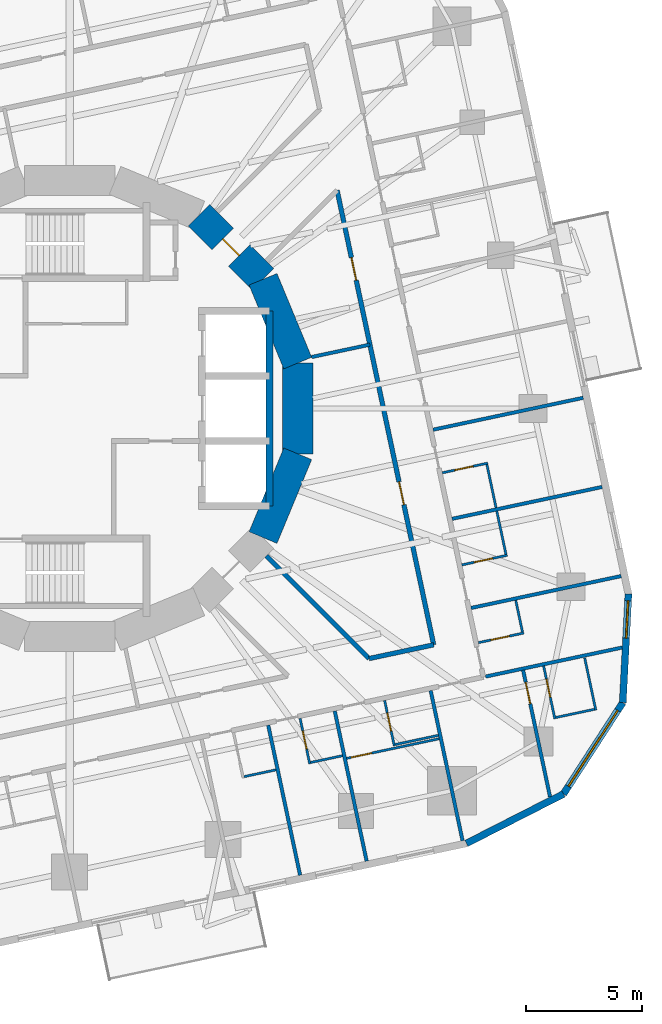
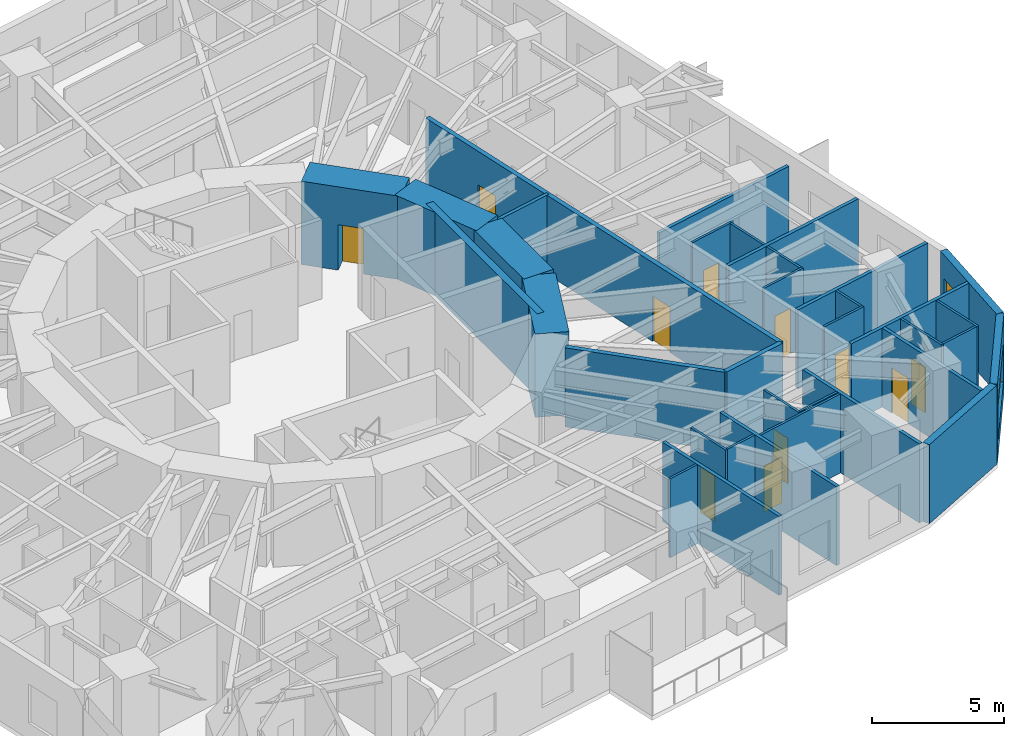
# One storey, part 8 of 14: 35 walls, 11 doors, 2 windows, 13 openings.
"""IFC4 building model written with IfcOpenShell, lengths in metres."""

from ifc_helpers import new_model, si_unit, direction, frame, frame_2d, origin, place, context, subcontext, project, spatial, rectangle, extrude, material, layer, layer_set, type_object, element, fill, save


model = new_model("IFC4")

# Units and contexts
model_context = context("Model", 3, precision=1e-05, world=origin(), true_north=direction((0.0, 1.0)))
body_context = subcontext(model_context, "Body", "Model", "MODEL_VIEW")
ifc_project = project(units=[si_unit("LENGTHUNIT", "METRE"), si_unit("AREAUNIT", "SQUARE_METRE"), si_unit("VOLUMEUNIT", "CUBIC_METRE"), si_unit("PLANEANGLEUNIT", "RADIAN"), si_unit("MASSUNIT", "GRAM", prefix="KILO")], contexts=[model_context])

# Site, building, storey
site_placement = place(None, origin())
site = spatial("IfcSite", under=ifc_project, at=site_placement, CompositionType="ELEMENT")
building_placement = place(site_placement, origin())
building = spatial("IfcBuilding", under=site, at=building_placement, Name="Nakasero Lantern House", CompositionType="ELEMENT")
storey_placement = place(building_placement, frame((0.0, 0.0, 116.550048828125)))
storey = spatial("IfcBuildingStorey", under=building, at=storey_placement, Name="L28", CompositionType="ELEMENT", Elevation=116.550048828125)

# Walls
ifc_material_1 = material(Name="Concrete C50/60", Category="concrete")
ifc_layer_1 = layer(ifc_material_1, 0.300048828125)
ifc_layer_set_1 = layer_set([ifc_layer_1], Name="Core inner wall 300")
wall_type_1 = type_object("IfcWallType", Name="Core inner wall 300", PredefinedType="SHEAR", material=ifc_layer_set_1)
wall_1_placement = place(storey_placement, frame((8.60009765625, -4.199951171875, 0.0), z_axis=(0.0, 0.0, 1.0), x_axis=(0.0, 1.0, 0.0)))
element("IfcWall", 1, at=wall_1_placement, inside=storey, type_object=wall_type_1, Name="Core inner wall L28 LEB", PredefinedType="SHEAR", context=body_context, shape_type="SweptSolid", body=[
    extrude(rectangle(XDim=8.39990234375, YDim=0.300048828125, at=frame_2d((4.199951171875, 0.0))), origin(), (0.0, 0.0, 1.0), 3.849853515625),
])
ifc_material_2 = material(Name="Concrete C50/60", Category="concrete")
ifc_layer_2 = layer(ifc_material_2, 1.300048828125)
ifc_layer_set_2 = layer_set([ifc_layer_2], Name="Core wall 1300")
wall_type_2 = type_object("IfcWallType", Name="Core wall 1300", PredefinedType="SHEAR", material=ifc_layer_set_2)
wall_2_placement = place(storey_placement, frame((9.807861328125, 1.950927734375, 0.0), z_axis=(0.0, 0.0, 1.0), x_axis=(-0.382690736062, 0.923876507187, 0.0)))
element("IfcWall", 2, at=wall_2_placement, inside=storey, type_object=wall_type_2, Name="Core wall L28 facet 1", PredefinedType="SHEAR", context=body_context, shape_type="SweptSolid", body=[
    extrude(rectangle(XDim=3.90185546875, YDim=1.300048828125, at=frame_2d((1.950927734375, 0.0))), origin(), (0.0, 0.0, 1.0), 3.849853515625),
])

# Wall, opening, door
wall_3_placement = place(storey_placement, frame((8.314697265625, 5.5556640625, 0.0), z_axis=(0.0, 0.0, 1.0), x_axis=(-0.707106781187, 0.707106781187, 0.0)))
wall_3 = element("IfcWall", 3, at=wall_3_placement, inside=storey, type_object=wall_type_2, Name="Core wall L28 facet 2", PredefinedType="SHEAR", context=body_context, shape_type="SweptSolid", body=[
    extrude(rectangle(XDim=3.90185546875, YDim=1.300048828125, at=frame_2d((1.950927734375, 0.0))), origin(), (0.0, 0.0, 1.0), 3.849853515625),
])
opening_1_placement = place(wall_3_placement, frame((1.450927734375, 0.0, 0.0)))
opening_1 = element("IfcOpeningElement", 4, at=opening_1_placement, cuts=wall_3, Name="Opening D05", PredefinedType="OPENING", context=body_context, shape_type="SweptSolid", body=[
    extrude(rectangle(XDim=1.0, YDim=2.10009765625, at=frame_2d((0.5, 1.050048828125))), frame((0.0, 0.669921875, 0.0), z_axis=(0.0, -1.0, 0.0), x_axis=(1.0, 0.0, 0.0)), (0.0, 0.0, 1.0), 1.340087890625),
])
ifc_material_3 = material(Name="Timber C24", Category="wood")
door_type_1 = type_object("IfcDoorType", Name="Core door FD60S 1000", OperationType="SINGLE_SWING_LEFT", PredefinedType="DOOR", material=ifc_material_3)
door_1_placement = place(opening_1_placement, origin())
door_1 = element("IfcDoor", 5, at=door_1_placement, inside=storey, type_object=door_type_1, Name="Door L28 D-CORE02", OperationType="SINGLE_SWING_LEFT", OverallHeight=2.10009765625, OverallWidth=1.0, PredefinedType="DOOR", context=body_context, shape_type="SweptSolid", body=[
    extrude(rectangle(XDim=1.0, YDim=2.10009765625, at=frame_2d((0.5, 1.050048828125))), frame((0.0, 0.02490234375, 0.0), z_axis=(0.0, -1.0, 0.0), x_axis=(1.0, 0.0, 0.0)), (0.0, 0.0, 1.0), 0.050048828125),
])
fill(opening_1, door_1)

# Walls
for number, where, z_axis, x_axis, name in (
    (6, (8.314697265625, -5.5556640625, 0.0), (0.0, 0.0, 1.0), (0.382690736062, 0.923876507187, 0.0), "Core wall L28 facet 15"),
    (7, (9.807861328125, -1.950927734375, 0.0), (0.0, 0.0, 1.0), (0.0, 1.0, 0.0), "Core wall L28 facet 16"),
):
    element("IfcWall", number, at=place(storey_placement, frame(where, z_axis=z_axis, x_axis=x_axis)), inside=storey, type_object=wall_type_2, Name=name, PredefinedType="SHEAR", context=body_context, shape_type="SweptSolid", body=[
        extrude(rectangle(XDim=3.90185546875, YDim=1.300048828125, at=frame_2d((1.950927734375, 0.0))), origin(), (0.0, 0.0, 1.0), 3.849853515625),
    ])

# Wall, openings, doors
ifc_material_4 = material(Name="Blockwork", Category="masonry")
ifc_layer_3 = layer(ifc_material_4, 0.199951171875)
ifc_layer_set_3 = layer_set([ifc_layer_3], Name="Corridor wall 200")
wall_type_3 = type_object("IfcWallType", Name="Corridor wall 200", PredefinedType="PARTITIONING", material=ifc_layer_set_3)
wall_4_placement = place(storey_placement, frame((15.656005859375, -10.1669921875, 0.0), z_axis=(0.0, 0.0, 1.0), x_axis=(-0.20791018816, 0.978147920132, 0.0)))
wall_4 = element("IfcWall", 8, at=wall_4_placement, inside=storey, type_object=wall_type_3, Name="Corridor wall L28 IW0-0", PredefinedType="PARTITIONING", context=body_context, shape_type="SweptSolid", body=[
    extrude(rectangle(XDim=19.983642578125, YDim=0.199951171875, at=frame_2d((9.99169921875, 0.0))), origin(), (0.0, 0.0, 1.0), 3.64990234375),
])
opening_2_placement = place(wall_4_placement, frame((6.162353515625, 0.0, 0.0)))
opening_2 = element("IfcOpeningElement", 9, at=opening_2_placement, cuts=wall_4, Name="Opening D07", PredefinedType="OPENING", context=body_context, shape_type="SweptSolid", body=[
    extrude(rectangle(XDim=1.0, YDim=2.10009765625, at=frame_2d((0.5, 1.050048828125))), frame((0.0, 0.119873046875, 0.0), z_axis=(0.0, -1.0, 0.0), x_axis=(1.0, 0.0, 0.0)), (0.0, 0.0, 1.0), 0.239990234375),
])
opening_3_placement = place(wall_4_placement, frame((16.029296875, 0.0, 0.0)))
opening_3 = element("IfcOpeningElement", 10, at=opening_3_placement, cuts=wall_4, Name="Opening D07", PredefinedType="OPENING", context=body_context, shape_type="SweptSolid", body=[
    extrude(rectangle(XDim=1.0, YDim=2.10009765625, at=frame_2d((0.5, 1.050048828125))), frame((0.0, 0.119873046875, 0.0), z_axis=(0.0, -1.0, 0.0), x_axis=(1.0, 0.0, 0.0)), (0.0, 0.0, 1.0), 0.239990234375),
])
ifc_material_5 = material(Name="Timber C24", Category="wood")
door_type_2 = type_object("IfcDoorType", Name="Room door FD30S 1000", OperationType="SINGLE_SWING_LEFT", PredefinedType="DOOR", material=ifc_material_5)
door_2_placement = place(opening_2_placement, origin())
door_2 = element("IfcDoor", 11, at=door_2_placement, inside=storey, type_object=door_type_2, Name="Door L28 DI3", OperationType="SINGLE_SWING_LEFT", OverallHeight=2.10009765625, OverallWidth=1.0, PredefinedType="DOOR", context=body_context, shape_type="SweptSolid", body=[
    extrude(rectangle(XDim=1.0, YDim=2.10009765625, at=frame_2d((0.5, 1.050048828125))), frame((0.0, 0.02490234375, 0.0), z_axis=(0.0, -1.0, 0.0), x_axis=(1.0, 0.0, 0.0)), (0.0, 0.0, 1.0), 0.050048828125),
])
fill(opening_2, door_2)
door_3_placement = place(opening_3_placement, origin())
door_3 = element("IfcDoor", 12, at=door_3_placement, inside=storey, type_object=door_type_2, Name="Door L28 DI4", OperationType="SINGLE_SWING_RIGHT", OverallHeight=2.10009765625, OverallWidth=1.0, PredefinedType="DOOR", context=body_context, shape_type="SweptSolid", body=[
    extrude(rectangle(XDim=1.0, YDim=2.10009765625, at=frame_2d((0.5, 1.050048828125))), frame((0.0, 0.02490234375, 0.0), z_axis=(0.0, -1.0, 0.0), x_axis=(1.0, 0.0, 0.0)), (0.0, 0.0, 1.0), 0.050048828125),
])
fill(opening_3, door_3)

# Walls
wall_5_placement = place(storey_placement, frame((12.878662109375, -10.75732421875, 0.0), z_axis=(0.0, 0.0, 1.0), x_axis=(0.97814836043, 0.207908116695, 0.0)))
element("IfcWall", 13, at=wall_5_placement, inside=storey, type_object=wall_type_3, Name="Corridor wall L28 IW3-1", PredefinedType="PARTITIONING", context=body_context, shape_type="SweptSolid", body=[
    extrude(rectangle(XDim=2.83935546875, YDim=0.199951171875, at=frame_2d((1.419677734375, 0.0))), origin(), (0.0, 0.0, 1.0), 3.64990234375),
])
wall_6_placement = place(storey_placement, frame((8.45556640625, -6.334228515625, 0.0), z_axis=(0.0, 0.0, 1.0), x_axis=(0.707106781187, -0.707106781187, 0.0)))
element("IfcWall", 14, at=wall_6_placement, inside=storey, type_object=wall_type_3, Name="Corridor wall L28 PS14a", PredefinedType="PARTITIONING", context=body_context, shape_type="SweptSolid", body=[
    extrude(rectangle(XDim=6.255126953125, YDim=0.199951171875, at=frame_2d((3.12744140625, 0.0))), origin(), (0.0, 0.0, 1.0), 3.64990234375),
])

# Wall, opening, door
ifc_material_6 = material(Name="Blockwork", Category="masonry")
ifc_layer_4 = layer(ifc_material_6, 0.10009765625)
ifc_layer_set_4 = layer_set([ifc_layer_4], Name="En-suite wall 100")
wall_type_4 = type_object("IfcWallType", Name="En-suite wall 100", PredefinedType="PARTITIONING", material=ifc_layer_set_4)
wall_7_placement = place(storey_placement, frame((17.57861328125, -10.07421875, 0.0), z_axis=(0.0, 0.0, 1.0), x_axis=(0.978152955943, 0.207886494942, 0.0)))
wall_7 = element("IfcWall", 15, at=wall_7_placement, inside=storey, type_object=wall_type_4, Name="En-suite wall L28 ES0-00", PredefinedType="PARTITIONING", context=body_context, shape_type="SweptSolid", body=[
    extrude(rectangle(XDim=2.0, YDim=0.10009765625, at=frame_2d((1.0, 0.0))), origin(), (0.0, 0.0, 1.0), 3.64990234375),
])
opening_4_placement = place(wall_7_placement, frame((0.550048828125, 0.0, 0.0)))
opening_4 = element("IfcOpeningElement", 16, at=opening_4_placement, cuts=wall_7, Name="Opening D02", PredefinedType="OPENING", context=body_context, shape_type="SweptSolid", body=[
    extrude(rectangle(XDim=0.800048828125, YDim=2.10009765625, at=frame_2d((0.39990234375, 1.050048828125))), frame((0.0, 0.070068359375, 0.0), z_axis=(0.0, -1.0, 0.0), x_axis=(1.0, 0.0, 0.0)), (0.0, 0.0, 1.0), 0.14013671875),
])
ifc_material_7 = material(Name="Timber C24", Category="wood")
door_type_3 = type_object("IfcDoorType", Name="En-suite door 800", OperationType="SINGLE_SWING_RIGHT", PredefinedType="DOOR", material=ifc_material_7)
door_4_placement = place(opening_4_placement, origin())
door_4 = element("IfcDoor", 17, at=door_4_placement, inside=storey, type_object=door_type_3, Name="Door L28 DE0-00", OperationType="SINGLE_SWING_LEFT", OverallHeight=2.10009765625, OverallWidth=0.800048828125, PredefinedType="DOOR", context=body_context, shape_type="SweptSolid", body=[
    extrude(rectangle(XDim=0.800048828125, YDim=2.10009765625, at=frame_2d((0.39990234375, 1.050048828125))), frame((0.0, 0.02490234375, 0.0), z_axis=(0.0, -1.0, 0.0), x_axis=(1.0, 0.0, 0.0)), (0.0, 0.0, 1.0), 0.050048828125),
])
fill(opening_4, door_4)

# Wall
wall_8_placement = place(storey_placement, frame((19.4755859375, -9.619873046875, 0.0), z_axis=(0.0, 0.0, 1.0), x_axis=(-0.207873355681, 0.978155748334, 0.0)))
element("IfcWall", 18, at=wall_8_placement, inside=storey, type_object=wall_type_4, Name="En-suite wall L28 EE0-00", PredefinedType="PARTITIONING", context=body_context, shape_type="SweptSolid", body=[
    extrude(rectangle(XDim=1.39990234375, YDim=0.10009765625, at=frame_2d((0.699951171875, 0.0))), origin(), (0.0, 0.0, 1.0), 3.64990234375),
])

# Wall, opening, door
wall_9_placement = place(storey_placement, frame((16.86767578125, -6.7294921875, 0.0), z_axis=(0.0, 0.0, 1.0), x_axis=(0.978128127149, 0.208003285743, 0.0)))
wall_9 = element("IfcWall", 19, at=wall_9_placement, inside=storey, type_object=wall_type_4, Name="En-suite wall L28 ES0-01", PredefinedType="PARTITIONING", context=body_context, shape_type="SweptSolid", body=[
    extrude(rectangle(XDim=2.0, YDim=0.10009765625, at=frame_2d((1.0, 0.0))), origin(), (0.0, 0.0, 1.0), 3.64990234375),
])
opening_5_placement = place(wall_9_placement, frame((0.550048828125, 0.0, 0.0)))
opening_5 = element("IfcOpeningElement", 20, at=opening_5_placement, cuts=wall_9, Name="Opening D02", PredefinedType="OPENING", context=body_context, shape_type="SweptSolid", body=[
    extrude(rectangle(XDim=0.800048828125, YDim=2.10009765625, at=frame_2d((0.39990234375, 1.050048828125))), frame((0.0, 0.070068359375, 0.0), z_axis=(0.0, -1.0, 0.0), x_axis=(1.0, 0.0, 0.0)), (0.0, 0.0, 1.0), 0.14013671875),
])
door_5_placement = place(opening_5_placement, origin())
door_5 = element("IfcDoor", 21, at=door_5_placement, inside=storey, type_object=door_type_3, Name="Door L28 DE0-01", OperationType="SINGLE_SWING_LEFT", OverallHeight=2.10009765625, OverallWidth=0.800048828125, PredefinedType="DOOR", context=body_context, shape_type="SweptSolid", body=[
    extrude(rectangle(XDim=0.800048828125, YDim=2.10009765625, at=frame_2d((0.39990234375, 1.050048828125))), frame((0.0, 0.02490234375, 0.0), z_axis=(0.0, -1.0, 0.0), x_axis=(1.0, 0.0, 0.0)), (0.0, 0.0, 1.0), 0.050048828125),
])
fill(opening_5, door_5)

# Wall
wall_10_placement = place(storey_placement, frame((18.7646484375, -6.275146484375, 0.0), z_axis=(0.0, 0.0, 1.0), x_axis=(-0.207887952389, 0.978152646192, 0.0)))
element("IfcWall", 22, at=wall_10_placement, inside=storey, type_object=wall_type_4, Name="En-suite wall L28 EE0-01", PredefinedType="PARTITIONING", context=body_context, shape_type="SweptSolid", body=[
    extrude(rectangle(XDim=1.900146484375, YDim=0.10009765625, at=frame_2d((0.9501953125, 0.0))), origin(), (0.0, 0.0, 1.0), 3.64990234375),
])

# Wall, opening, door
wall_11_placement = place(storey_placement, frame((16.025634765625, -2.767822265625, 0.0), z_axis=(0.0, 0.0, 1.0), x_axis=(0.978152955943, 0.207886494942, 0.0)))
wall_11 = element("IfcWall", 23, at=wall_11_placement, inside=storey, type_object=wall_type_4, Name="En-suite wall L28 ES0-02", PredefinedType="PARTITIONING", context=body_context, shape_type="SweptSolid", body=[
    extrude(rectangle(XDim=2.0, YDim=0.10009765625, at=frame_2d((1.0, 0.0))), origin(), (0.0, 0.0, 1.0), 3.64990234375),
])
opening_6_placement = place(wall_11_placement, frame((0.550048828125, 0.0, 0.0)))
opening_6 = element("IfcOpeningElement", 24, at=opening_6_placement, cuts=wall_11, Name="Opening D02", PredefinedType="OPENING", context=body_context, shape_type="SweptSolid", body=[
    extrude(rectangle(XDim=0.800048828125, YDim=2.10009765625, at=frame_2d((0.39990234375, 1.050048828125))), frame((0.0, 0.070068359375, 0.0), z_axis=(0.0, -1.0, 0.0), x_axis=(1.0, 0.0, 0.0)), (0.0, 0.0, 1.0), 0.14013671875),
])
door_6_placement = place(opening_6_placement, origin())
door_6 = element("IfcDoor", 25, at=door_6_placement, inside=storey, type_object=door_type_3, Name="Door L28 DE0-02", OperationType="SINGLE_SWING_LEFT", OverallHeight=2.10009765625, OverallWidth=0.800048828125, PredefinedType="DOOR", context=body_context, shape_type="SweptSolid", body=[
    extrude(rectangle(XDim=0.800048828125, YDim=2.10009765625, at=frame_2d((0.39990234375, 1.050048828125))), frame((0.0, 0.02490234375, 0.0), z_axis=(0.0, -1.0, 0.0), x_axis=(1.0, 0.0, 0.0)), (0.0, 0.0, 1.0), 0.050048828125),
])
fill(opening_6, door_6)

# Walls
wall_12_placement = place(storey_placement, frame((18.33837890625, -4.269775390625, 0.0), z_axis=(0.0, 0.0, 1.0), x_axis=(-0.207914082431, 0.978147092378, 0.0)))
element("IfcWall", 26, at=wall_12_placement, inside=storey, type_object=wall_type_4, Name="En-suite wall L28 EE0-02", PredefinedType="PARTITIONING", context=body_context, shape_type="SweptSolid", body=[
    extrude(rectangle(XDim=1.89990234375, YDim=0.10009765625, at=frame_2d((0.949951171875, 0.0))), origin(), (0.0, 0.0, 1.0), 3.64990234375),
])
wall_13_placement = place(storey_placement, frame((7.50048828125, -15.836669921875, 0.0), z_axis=(0.0, 0.0, 1.0), x_axis=(0.978155748334, 0.207873355681, 0.0)))
element("IfcWall", 27, at=wall_13_placement, inside=storey, type_object=wall_type_4, Name="En-suite wall L28 EE3-05", PredefinedType="PARTITIONING", context=body_context, shape_type="SweptSolid", body=[
    extrude(rectangle(XDim=1.39990234375, YDim=0.10009765625, at=frame_2d((0.699951171875, 0.0))), origin(), (0.0, 0.0, 1.0), 3.64990234375),
])

# Wall, opening, door
wall_14_placement = place(storey_placement, frame((9.908447265625, -13.331298828125, 0.0), z_axis=(0.0, 0.0, 1.0), x_axis=(0.208003285743, -0.978128127149, 0.0)))
wall_14 = element("IfcWall", 28, at=wall_14_placement, inside=storey, type_object=wall_type_4, Name="En-suite wall L28 ES3-06", PredefinedType="PARTITIONING", context=body_context, shape_type="SweptSolid", body=[
    extrude(rectangle(XDim=2.0, YDim=0.10009765625, at=frame_2d((1.0, 0.0))), origin(), (0.0, 0.0, 1.0), 3.64990234375),
])
opening_7_placement = place(wall_14_placement, frame((0.550048828125, 0.0, 0.0)))
opening_7 = element("IfcOpeningElement", 29, at=opening_7_placement, cuts=wall_14, Name="Opening D02", PredefinedType="OPENING", context=body_context, shape_type="SweptSolid", body=[
    extrude(rectangle(XDim=0.800048828125, YDim=2.10009765625, at=frame_2d((0.39990234375, 1.050048828125))), frame((0.0, 0.070068359375, 0.0), z_axis=(0.0, -1.0, 0.0), x_axis=(1.0, 0.0, 0.0)), (0.0, 0.0, 1.0), 0.14013671875),
])
door_7_placement = place(opening_7_placement, origin())
door_7 = element("IfcDoor", 30, at=door_7_placement, inside=storey, type_object=door_type_3, Name="Door L28 DE3-06", OperationType="SINGLE_SWING_LEFT", OverallHeight=2.10009765625, OverallWidth=0.800048828125, PredefinedType="DOOR", context=body_context, shape_type="SweptSolid", body=[
    extrude(rectangle(XDim=0.800048828125, YDim=2.10009765625, at=frame_2d((0.39990234375, 1.050048828125))), frame((0.0, 0.02490234375, 0.0), z_axis=(0.0, -1.0, 0.0), x_axis=(1.0, 0.0, 0.0)), (0.0, 0.0, 1.0), 0.050048828125),
])
fill(opening_7, door_7)

# Wall
wall_15_placement = place(storey_placement, frame((10.36279296875, -15.228271484375, 0.0), z_axis=(0.0, 0.0, 1.0), x_axis=(0.978155748334, 0.207873355681, 0.0)))
element("IfcWall", 31, at=wall_15_placement, inside=storey, type_object=wall_type_4, Name="En-suite wall L28 EE3-06", PredefinedType="PARTITIONING", context=body_context, shape_type="SweptSolid", body=[
    extrude(rectangle(XDim=1.39990234375, YDim=0.10009765625, at=frame_2d((0.699951171875, 0.0))), origin(), (0.0, 0.0, 1.0), 3.64990234375),
])

# Wall, opening, door
wall_16_placement = place(storey_placement, frame((13.54541015625, -12.55810546875, 0.0), z_axis=(0.0, 0.0, 1.0), x_axis=(0.207886494942, -0.978152955943, 0.0)))
wall_16 = element("IfcWall", 32, at=wall_16_placement, inside=storey, type_object=wall_type_4, Name="En-suite wall L28 ES3-07", PredefinedType="PARTITIONING", context=body_context, shape_type="SweptSolid", body=[
    extrude(rectangle(XDim=2.0, YDim=0.10009765625, at=frame_2d((1.0, 0.0))), origin(), (0.0, 0.0, 1.0), 3.64990234375),
])
opening_8_placement = place(wall_16_placement, frame((0.550048828125, 0.0, 0.0)))
opening_8 = element("IfcOpeningElement", 33, at=opening_8_placement, cuts=wall_16, Name="Opening D02", PredefinedType="OPENING", context=body_context, shape_type="SweptSolid", body=[
    extrude(rectangle(XDim=0.800048828125, YDim=2.10009765625, at=frame_2d((0.39990234375, 1.050048828125))), frame((0.0, 0.070068359375, 0.0), z_axis=(0.0, -1.0, 0.0), x_axis=(1.0, 0.0, 0.0)), (0.0, 0.0, 1.0), 0.14013671875),
])
door_8_placement = place(opening_8_placement, origin())
door_8 = element("IfcDoor", 34, at=door_8_placement, inside=storey, type_object=door_type_3, Name="Door L28 DE3-07", OperationType="SINGLE_SWING_LEFT", OverallHeight=2.10009765625, OverallWidth=0.800048828125, PredefinedType="DOOR", context=body_context, shape_type="SweptSolid", body=[
    extrude(rectangle(XDim=0.800048828125, YDim=2.10009765625, at=frame_2d((0.39990234375, 1.050048828125))), frame((0.0, 0.02490234375, 0.0), z_axis=(0.0, -1.0, 0.0), x_axis=(1.0, 0.0, 0.0)), (0.0, 0.0, 1.0), 0.050048828125),
])
fill(opening_8, door_8)

# Wall
wall_17_placement = place(storey_placement, frame((13.999755859375, -14.455078125, 0.0), z_axis=(0.0, 0.0, 1.0), x_axis=(0.978147092378, 0.207914082431, 0.0)))
element("IfcWall", 35, at=wall_17_placement, inside=storey, type_object=wall_type_4, Name="En-suite wall L28 EE3-07", PredefinedType="PARTITIONING", context=body_context, shape_type="SweptSolid", body=[
    extrude(rectangle(XDim=1.89990234375, YDim=0.10009765625, at=frame_2d((0.949951171875, 0.0))), origin(), (0.0, 0.0, 1.0), 3.64990234375),
])

# Wall, opening, door
wall_18_placement = place(storey_placement, frame((20.382568359375, -11.069091796875, 0.0), z_axis=(0.0, 0.0, 1.0), x_axis=(0.207965047255, -0.978136257952, 0.0)))
wall_18 = element("IfcWall", 36, at=wall_18_placement, inside=storey, type_object=wall_type_4, Name="En-suite wall L28 ES3-08", PredefinedType="PARTITIONING", context=body_context, shape_type="SweptSolid", body=[
    extrude(rectangle(XDim=2.3349609375, YDim=0.10009765625, at=frame_2d((1.16748046875, 0.0))), origin(), (0.0, 0.0, 1.0), 3.64990234375),
])
opening_9_placement = place(wall_18_placement, frame((0.5849609375, 0.0, 0.0)))
opening_9 = element("IfcOpeningElement", 37, at=opening_9_placement, cuts=wall_18, Name="Opening D02", PredefinedType="OPENING", context=body_context, shape_type="SweptSolid", body=[
    extrude(rectangle(XDim=0.800048828125, YDim=2.10009765625, at=frame_2d((0.39990234375, 1.050048828125))), frame((0.0, 0.070068359375, 0.0), z_axis=(0.0, -1.0, 0.0), x_axis=(1.0, 0.0, 0.0)), (0.0, 0.0, 1.0), 0.14013671875),
])
door_9_placement = place(opening_9_placement, origin())
door_9 = element("IfcDoor", 38, at=door_9_placement, inside=storey, type_object=door_type_3, Name="Door L28 DE3-08", OperationType="SINGLE_SWING_LEFT", OverallHeight=2.10009765625, OverallWidth=0.800048828125, PredefinedType="DOOR", context=body_context, shape_type="SweptSolid", body=[
    extrude(rectangle(XDim=0.800048828125, YDim=2.10009765625, at=frame_2d((0.39990234375, 1.050048828125))), frame((0.0, 0.02490234375, 0.0), z_axis=(0.0, -1.0, 0.0), x_axis=(1.0, 0.0, 0.0)), (0.0, 0.0, 1.0), 0.050048828125),
])
fill(opening_9, door_9)

# Walls
wall_19_placement = place(storey_placement, frame((20.906494140625, -13.293701171875, 0.0), z_axis=(0.0, 0.0, 1.0), x_axis=(0.978168704767, 0.207812379357, 0.0)))
element("IfcWall", 39, at=wall_19_placement, inside=storey, type_object=wall_type_4, Name="En-suite wall L28 EE3-08", PredefinedType="PARTITIONING", context=body_context, shape_type="SweptSolid", body=[
    extrude(rectangle(XDim=1.699951171875, YDim=0.10009765625, at=frame_2d((0.85009765625, 0.0))), origin(), (0.0, 0.0, 1.0), 3.64990234375),
])
wall_20_placement = place(storey_placement, frame((22.150634765625, -10.72900390625, 0.0), z_axis=(0.0, 0.0, 1.0), x_axis=(0.207839712757, -0.978162897375, 0.0)))
element("IfcWall", 40, at=wall_20_placement, inside=storey, type_object=wall_type_4, Name="En-suite wall L28 EV3-08", PredefinedType="PARTITIONING", context=body_context, shape_type="SweptSolid", body=[
    extrude(rectangle(XDim=2.300048828125, YDim=0.10009765625, at=frame_2d((1.14990234375, 0.0))), origin(), (0.0, 0.0, 1.0), 3.64990234375),
])

# Wall, opening, door
wall_21_placement = place(storey_placement, frame((11.91015625, -15.052734375, 0.0), z_axis=(0.0, 0.0, 1.0), x_axis=(0.978141002414, 0.207942731049, 0.0)))
wall_21 = element("IfcWall", 41, at=wall_21_placement, inside=storey, type_object=wall_type_4, Name="En-suite wall L28 EL3-07", PredefinedType="PARTITIONING", context=body_context, shape_type="SweptSolid", body=[
    extrude(rectangle(XDim=4.068115234375, YDim=0.10009765625, at=frame_2d((2.0341796875, 0.0))), origin(), (0.0, 0.0, 1.0), 3.64990234375),
])
opening_10_placement = place(wall_21_placement, frame((0.199951171875, 0.0, 0.0)))
opening_10 = element("IfcOpeningElement", 42, at=opening_10_placement, cuts=wall_21, Name="Opening D17", PredefinedType="OPENING", context=body_context, shape_type="SweptSolid", body=[
    extrude(rectangle(XDim=0.89990234375, YDim=2.10009765625, at=frame_2d((0.449951171875, 1.050048828125))), frame((0.0, 0.070068359375, 0.0), z_axis=(0.0, -1.0, 0.0), x_axis=(1.0, 0.0, 0.0)), (0.0, 0.0, 1.0), 0.14013671875),
])
ifc_material_8 = material(Name="Timber C24", Category="wood")
door_type_4 = type_object("IfcDoorType", Name="Bedroom door FD30S 900", OperationType="SINGLE_SWING_LEFT", PredefinedType="DOOR", material=ifc_material_8)
door_10_placement = place(opening_10_placement, origin())
door_10 = element("IfcDoor", 43, at=door_10_placement, inside=storey, type_object=door_type_4, Name="Door L28 DL3-07", OperationType="SINGLE_SWING_LEFT", OverallHeight=2.10009765625, OverallWidth=0.89990234375, PredefinedType="DOOR", context=body_context, shape_type="SweptSolid", body=[
    extrude(rectangle(XDim=0.89990234375, YDim=2.10009765625, at=frame_2d((0.449951171875, 1.050048828125))), frame((0.0, 0.02490234375, 0.0), z_axis=(0.0, -1.0, 0.0), x_axis=(1.0, 0.0, 0.0)), (0.0, 0.0, 1.0), 0.050048828125),
])
fill(opening_10, door_10)

# Wall
ifc_material_9 = material(Name="Aluminium rainscreen on blockwork", Category="masonry")
ifc_layer_5 = layer(ifc_material_9, 0.300048828125)
ifc_layer_set_5 = layer_set([ifc_layer_5], Name="Facade wall 300")
wall_type_5 = type_object("IfcWallType", Name="Facade wall 300", PredefinedType="SOLIDWALL", material=ifc_layer_set_5)
wall_22_placement = place(storey_placement, frame((17.063232421875, -18.711181640625, 0.0), z_axis=(0.0, 0.0, 1.0), x_axis=(0.89101404178, 0.453975745332, 0.0)))
element("IfcWall", 44, at=wall_22_placement, inside=storey, type_object=wall_type_5, Name="Facade wall L28 FW3C1", PredefinedType="SOLIDWALL", context=body_context, shape_type="SweptSolid", body=[
    extrude(rectangle(XDim=4.6845703125, YDim=0.300048828125, at=frame_2d((2.34228515625, 0.0))), origin(), (0.0, 0.0, 1.0), 3.64990234375),
])

# Wall, opening, window
wall_23_placement = place(storey_placement, frame((21.2373046875, -16.58447265625, 0.0), z_axis=(0.0, 0.0, 1.0), x_axis=(0.544605442853, 0.838692381994, 0.0)))
wall_23 = element("IfcWall", 45, at=wall_23_placement, inside=storey, type_object=wall_type_5, Name="Facade wall L28 FW3C2", PredefinedType="SOLIDWALL", context=body_context, shape_type="SweptSolid", body=[
    extrude(rectangle(XDim=4.6845703125, YDim=0.300048828125, at=frame_2d((2.34228515625, 0.0))), origin(), (0.0, 0.0, 1.0), 3.64990234375),
])
opening_11_placement = place(wall_23_placement, frame((0.39990234375, 0.0, 0.75)))
opening_11 = element("IfcOpeningElement", 46, at=opening_11_placement, cuts=wall_23, Name="Opening W238", PredefinedType="OPENING", context=body_context, shape_type="SweptSolid", body=[
    extrude(rectangle(XDim=3.885009765625, YDim=1.800048828125, at=frame_2d((1.9423828125, 0.89990234375))), frame((0.0, 0.169921875, 0.0), z_axis=(0.0, -1.0, 0.0), x_axis=(1.0, 0.0, 0.0)), (0.0, 0.0, 1.0), 0.340087890625),
])
ifc_material_10 = material(Name="Aluminium 6063-T6 and glass", Category="aluminium")
window_type_1 = type_object("IfcWindowType", Name="Corner window 3885x1800", PartitioningType="SINGLE_PANEL", PredefinedType="WINDOW", material=ifc_material_10)
window_1_placement = place(opening_11_placement, origin())
window_1 = element("IfcWindow", 47, at=window_1_placement, inside=storey, type_object=window_type_1, Name="Window L28 WC3", OverallHeight=1.800048828125, OverallWidth=3.885009765625, PartitioningType="SINGLE_PANEL", PredefinedType="WINDOW", context=body_context, shape_type="SweptSolid", body=[
    extrude(rectangle(XDim=3.885009765625, YDim=1.800048828125, at=frame_2d((1.9423828125, 0.89990234375))), frame((0.0, 0.030029296875, 0.0), z_axis=(0.0, -1.0, 0.0), x_axis=(1.0, 0.0, 0.0)), (0.0, 0.0, 1.0), 0.06005859375),
])
fill(opening_11, window_1)

wall_24_placement = place(storey_placement, frame((23.78857421875, -12.655517578125, 0.0), z_axis=(0.0, 0.0, 1.0), x_axis=(0.052326317, 0.998630039879, 0.0)))
wall_24 = element("IfcWall", 48, at=wall_24_placement, inside=storey, type_object=wall_type_5, Name="Facade wall L28 FW3C3", PredefinedType="SOLIDWALL", context=body_context, shape_type="SweptSolid", body=[
    extrude(rectangle(XDim=4.684326171875, YDim=0.300048828125, at=frame_2d((2.34228515625, 0.0))), origin(), (0.0, 0.0, 1.0), 3.64990234375),
])
opening_12_placement = place(wall_24_placement, frame((2.784912109375, 0.0, 0.75)))
opening_12 = element("IfcOpeningElement", 49, at=opening_12_placement, cuts=wall_24, Name="Opening W01", PredefinedType="OPENING", context=body_context, shape_type="SweptSolid", body=[
    extrude(rectangle(XDim=1.60009765625, YDim=1.800048828125, at=frame_2d((0.800048828125, 0.89990234375))), frame((0.0, 0.169921875, 0.0), z_axis=(0.0, -1.0, 0.0), x_axis=(1.0, 0.0, 0.0)), (0.0, 0.0, 1.0), 0.340087890625),
])
ifc_material_11 = material(Name="Aluminium 6063-T6 and glass", Category="aluminium")
window_type_2 = type_object("IfcWindowType", Name="Bedroom window 1600x1800", PartitioningType="SINGLE_PANEL", PredefinedType="WINDOW", material=ifc_material_11)
window_2_placement = place(opening_12_placement, origin())
window_2 = element("IfcWindow", 50, at=window_2_placement, inside=storey, type_object=window_type_2, Name="Window L28 WN0-00", OverallHeight=1.800048828125, OverallWidth=1.60009765625, PartitioningType="SINGLE_PANEL", PredefinedType="WINDOW", context=body_context, shape_type="SweptSolid", body=[
    extrude(rectangle(XDim=1.60009765625, YDim=1.800048828125, at=frame_2d((0.800048828125, 0.89990234375))), frame((0.0, 0.030029296875, 0.0), z_axis=(0.0, -1.0, 0.0), x_axis=(1.0, 0.0, 0.0)), (0.0, 0.0, 1.0), 0.06005859375),
])
fill(opening_12, window_2)

# Walls
ifc_material_12 = material(Name="Blockwork", Category="masonry")
ifc_layer_6 = layer(ifc_material_12, 0.14990234375)
ifc_layer_set_6 = layer_set([ifc_layer_6], Name="Party wall 150")
wall_type_6 = type_object("IfcWallType", Name="Party wall 150", PredefinedType="PARTITIONING", material=ifc_layer_set_6)
wall_25_placement = place(storey_placement, frame((17.888671875, -11.53271484375, 0.0), z_axis=(0.0, 0.0, 1.0), x_axis=(0.978152955943, 0.207886494942, 0.0)))
element("IfcWall", 51, at=wall_25_placement, inside=storey, type_object=wall_type_6, Name="Party wall L28 PW0-00", PredefinedType="PARTITIONING", context=body_context, shape_type="SweptSolid", body=[
    extrude(rectangle(XDim=6.0, YDim=0.14990234375, at=frame_2d((3.0, 0.0))), origin(), (0.0, 0.0, 1.0), 3.64990234375),
])
wall_26_placement = place(storey_placement, frame((17.26171875, -8.58251953125, 0.0), z_axis=(0.0, 0.0, 1.0), x_axis=(0.978143241716, 0.207932197326, 0.0)))
element("IfcWall", 52, at=wall_26_placement, inside=storey, type_object=wall_type_6, Name="Party wall L28 PW0-01", PredefinedType="PARTITIONING", context=body_context, shape_type="SweptSolid", body=[
    extrude(rectangle(XDim=6.599853515625, YDim=0.14990234375, at=frame_2d((3.2998046875, 0.0))), origin(), (0.0, 0.0, 1.0), 3.64990234375),
])
wall_27_placement = place(storey_placement, frame((16.44677734375, -4.748779296875, 0.0), z_axis=(0.0, 0.0, 1.0), x_axis=(0.978144841009, 0.207924673876, 0.0)))
element("IfcWall", 53, at=wall_27_placement, inside=storey, type_object=wall_type_6, Name="Party wall L28 PW0-02", PredefinedType="PARTITIONING", context=body_context, shape_type="SweptSolid", body=[
    extrude(rectangle(XDim=6.60009765625, YDim=0.14990234375, at=frame_2d((3.300048828125, 0.0))), origin(), (0.0, 0.0, 1.0), 3.64990234375),
])
wall_28_placement = place(storey_placement, frame((15.6318359375, -0.914794921875, 0.0), z_axis=(0.0, 0.0, 1.0), x_axis=(0.978144841009, 0.207924673876, 0.0)))
element("IfcWall", 54, at=wall_28_placement, inside=storey, type_object=wall_type_6, Name="Party wall L28 PW0-03", PredefinedType="PARTITIONING", context=body_context, shape_type="SweptSolid", body=[
    extrude(rectangle(XDim=6.60009765625, YDim=0.14990234375, at=frame_2d((3.300048828125, 0.0))), origin(), (0.0, 0.0, 1.0), 3.12158203125),
])
for number, where, z_axis, x_axis, name in (
    (55, (8.537841796875, -13.62255859375, 0.0), (0.0, 0.0, 1.0), (0.207889281984, -0.97815236361, 0.0), "Party wall L28 PW3-06"),
    (56, (11.400146484375, -13.01416015625, 0.0), (0.0, 0.0, 1.0), (0.207924673876, -0.978144841009, 0.0), "Party wall L28 PW3-07"),
    (57, (15.526123046875, -12.13720703125, 0.0), (0.0, 0.0, 1.0), (0.207924673876, -0.978144841009, 0.0), "Party wall L28 PW3-08"),
):
    element("IfcWall", number, at=place(storey_placement, frame(where, z_axis=z_axis, x_axis=x_axis)), inside=storey, type_object=wall_type_6, Name=name, PredefinedType="PARTITIONING", context=body_context, shape_type="SweptSolid", body=[
        extrude(rectangle(XDim=6.60009765625, YDim=0.14990234375, at=frame_2d((3.300048828125, 0.0))), origin(), (0.0, 0.0, 1.0), 3.64990234375),
    ])

# Wall, opening, door
wall_29_placement = place(storey_placement, frame((19.502197265625, -11.256103515625, 0.0), z_axis=(0.0, 0.0, 1.0), x_axis=(0.207936339891, -0.978142361087, 0.0)))
wall_29 = element("IfcWall", 58, at=wall_29_placement, inside=storey, type_object=wall_type_6, Name="Party wall L28 PC3", PredefinedType="PARTITIONING", context=body_context, shape_type="SweptSolid", body=[
    extrude(rectangle(XDim=5.570068359375, YDim=0.14990234375, at=frame_2d((2.78515625, 0.0))), origin(), (0.0, 0.0, 1.0), 3.64990234375),
])
opening_13_placement = place(wall_29_placement, frame((0.534912109375, 0.0, 0.0)))
opening_13 = element("IfcOpeningElement", 59, at=opening_13_placement, cuts=wall_29, Name="Opening D01", PredefinedType="OPENING", context=body_context, shape_type="SweptSolid", body=[
    extrude(rectangle(XDim=0.949951171875, YDim=2.10009765625, at=frame_2d((0.47509765625, 1.050048828125))), frame((0.0, 0.094970703125, 0.0), z_axis=(0.0, -1.0, 0.0), x_axis=(1.0, 0.0, 0.0)), (0.0, 0.0, 1.0), 0.18994140625),
])
ifc_material_13 = material(Name="Timber C24", Category="wood")
door_type_5 = type_object("IfcDoorType", Name="Bedroom door FD30S 950", OperationType="SINGLE_SWING_LEFT", PredefinedType="DOOR", material=ifc_material_13)
door_11_placement = place(opening_13_placement, origin())
door_11 = element("IfcDoor", 60, at=door_11_placement, inside=storey, type_object=door_type_5, Name="Door L28 DC3", OperationType="SINGLE_SWING_LEFT", OverallHeight=2.10009765625, OverallWidth=0.949951171875, PredefinedType="DOOR", context=body_context, shape_type="SweptSolid", body=[
    extrude(rectangle(XDim=0.949951171875, YDim=2.10009765625, at=frame_2d((0.47509765625, 1.050048828125))), frame((0.0, 0.02490234375, 0.0), z_axis=(0.0, -1.0, 0.0), x_axis=(1.0, 0.0, 0.0)), (0.0, 0.0, 1.0), 0.050048828125),
])
fill(opening_13, door_11)

# Wall
wall_30_placement = place(storey_placement, frame((12.91162109375, 2.744384765625, 0.0), z_axis=(0.0, 0.0, 1.0), x_axis=(-0.978159092909, -0.207857617037, 0.0)))
element("IfcWall", 61, at=wall_30_placement, inside=storey, type_object=wall_type_6, Name="Party wall L28 IM0", PredefinedType="PARTITIONING", context=body_context, shape_type="SweptSolid", body=[
    extrude(rectangle(XDim=2.56396484375, YDim=0.14990234375, at=frame_2d((1.281982421875, 0.0))), origin(), (0.0, 0.0, 1.0), 3.64990234375),
])

save(model, "model.ifc")
